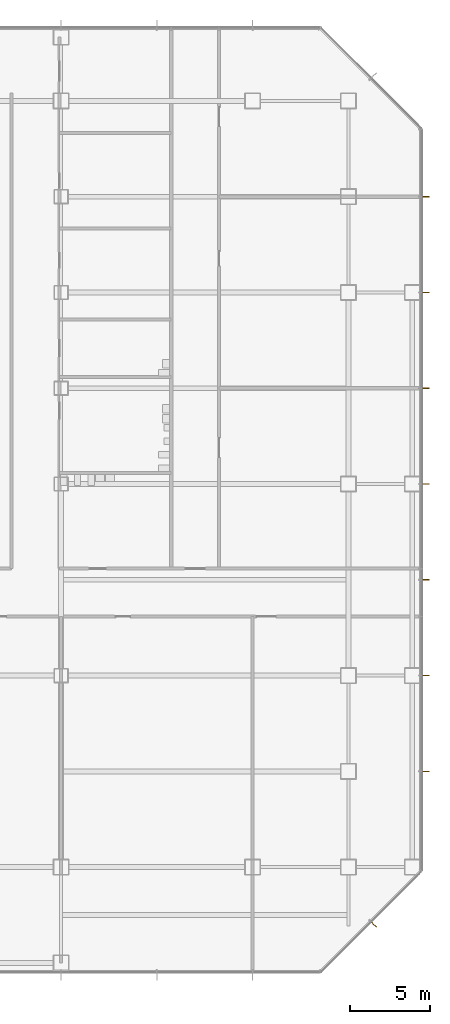
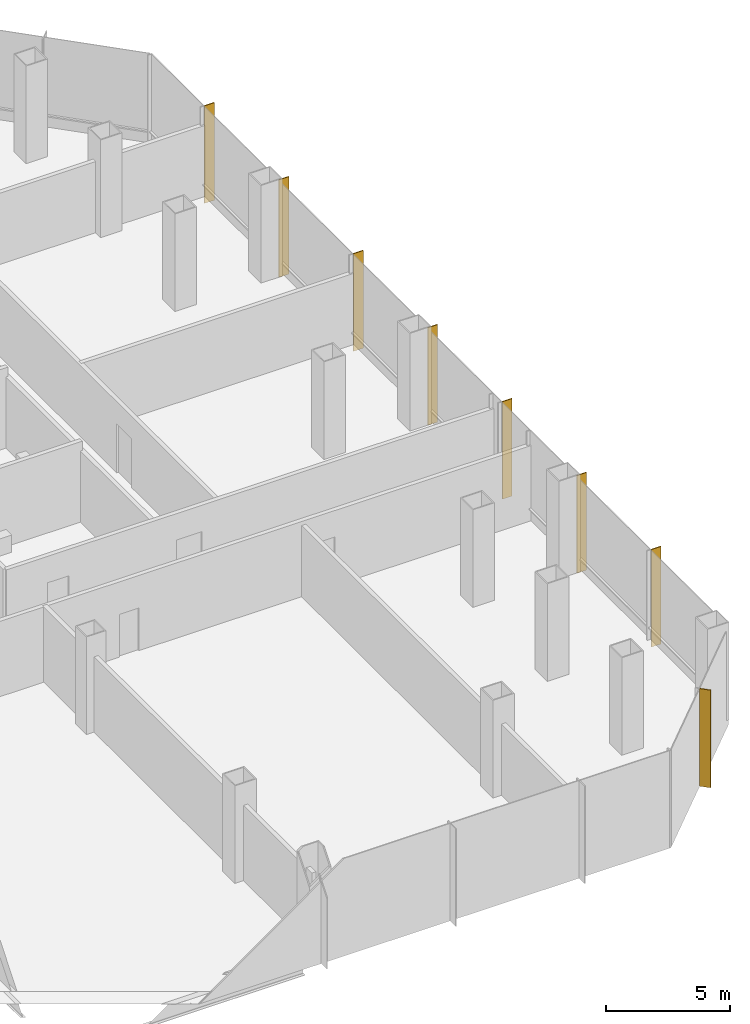
# One storey, part 31 of 33: 8 shading devices.
"""IFC4 building model written with IfcOpenShell, lengths in metres."""

from ifc_helpers import new_model, si_unit, direction, frame, origin, origin_2d, place, context, subcontext, project, spatial, rectangle, extrude, material, material_profile, profile_set, type_object, element, save


model = new_model("IFC4")

# Units and contexts
model_context = context("Model", 3, precision=1e-05, world=origin(), true_north=direction((0.0, 1.0)))
body_context = subcontext(model_context, "Body", "Model", "MODEL_VIEW")
ifc_project = project(units=[si_unit("LENGTHUNIT", "METRE"), si_unit("AREAUNIT", "SQUARE_METRE"), si_unit("VOLUMEUNIT", "CUBIC_METRE"), si_unit("PLANEANGLEUNIT", "RADIAN"), si_unit("MASSUNIT", "GRAM", prefix="KILO")], contexts=[model_context])

# Site, building, storey
site_placement = place(None, origin())
site = spatial("IfcSite", under=ifc_project, at=site_placement, CompositionType="ELEMENT")
building_placement = place(site_placement, origin())
building = spatial("IfcBuilding", under=site, at=building_placement, Name="Sorahane Residences", CompositionType="ELEMENT")
storey_placement = place(building_placement, frame((0.0, 0.0, 34.800048828125)))
storey = spatial("IfcBuildingStorey", under=building, at=storey_placement, Name="L05", CompositionType="ELEMENT", Elevation=34.800048828125)

# Shading devices
ifc_material = material(Name="Terracotta anodised aluminium", Category="masonry")
ifc_material_profile = material_profile(ifc_material, rectangle(XDim=0.449951171875, YDim=0.0400390625, at=origin_2d()), Name="Podium vertical fin terracotta anodised aluminium 450x40")
ifc_profile_set = profile_set([ifc_material_profile], Name="Terracotta anodised aluminium")
shading_device_type = type_object("IfcShadingDeviceType", Name="Podium vertical fin terracotta anodised aluminium 450x40", PredefinedType="USERDEFINED", material=ifc_profile_set)
for number, where, z_axis, x_axis, name in (
    (1, (67.597412109375, -3.597412109375, -0.400146484375), (0.0, 0.0, 1.0), (0.707106781187, -0.707106781187, 0.0), "Podium vertical fin L05 SE1.1"),
    (2, (70.844970703125, 6.0, -0.400146484375), (0.0, 0.0, 1.0), (1.0, 0.0, 0.0), "Podium vertical fin L05 E1.1"),
    (3, (70.844970703125, 12.0, -0.400146484375), (0.0, 0.0, 1.0), (1.0, 0.0, 0.0), "Podium vertical fin L05 E1.2"),
    (4, (70.844970703125, 18.0, -0.400146484375), (0.0, 0.0, 1.0), (1.0, 0.0, 0.0), "Podium vertical fin L05 E1.3"),
    (5, (70.844970703125, 24.0, -0.400146484375), (0.0, 0.0, 1.0), (1.0, 0.0, 0.0), "Podium vertical fin L05 E1.4"),
    (6, (70.844970703125, 30.0, -0.400146484375), (0.0, 0.0, 1.0), (1.0, 0.0, 0.0), "Podium vertical fin L05 E1.5"),
    (7, (70.844970703125, 36.0, -0.400146484375), (0.0, 0.0, 1.0), (1.0, 0.0, 0.0), "Podium vertical fin L05 E1.6"),
    (8, (70.844970703125, 42.0, -0.400146484375), (0.0, 0.0, 1.0), (1.0, 0.0, 0.0), "Podium vertical fin L05 E1.7"),
):
    element("IfcShadingDevice", number, at=place(storey_placement, frame(where, z_axis=z_axis, x_axis=x_axis)), inside=storey, type_object=shading_device_type, Name=name, ObjectType="Vertical fin", PredefinedType="USERDEFINED", context=body_context, shape_type="SweptSolid", body=[
        extrude(rectangle(XDim=0.449951171875, YDim=0.0400390625, at=origin_2d()), origin(), (0.0, 0.0, 1.0), 4.800048828125),
    ])

save(model, "model.ifc")
